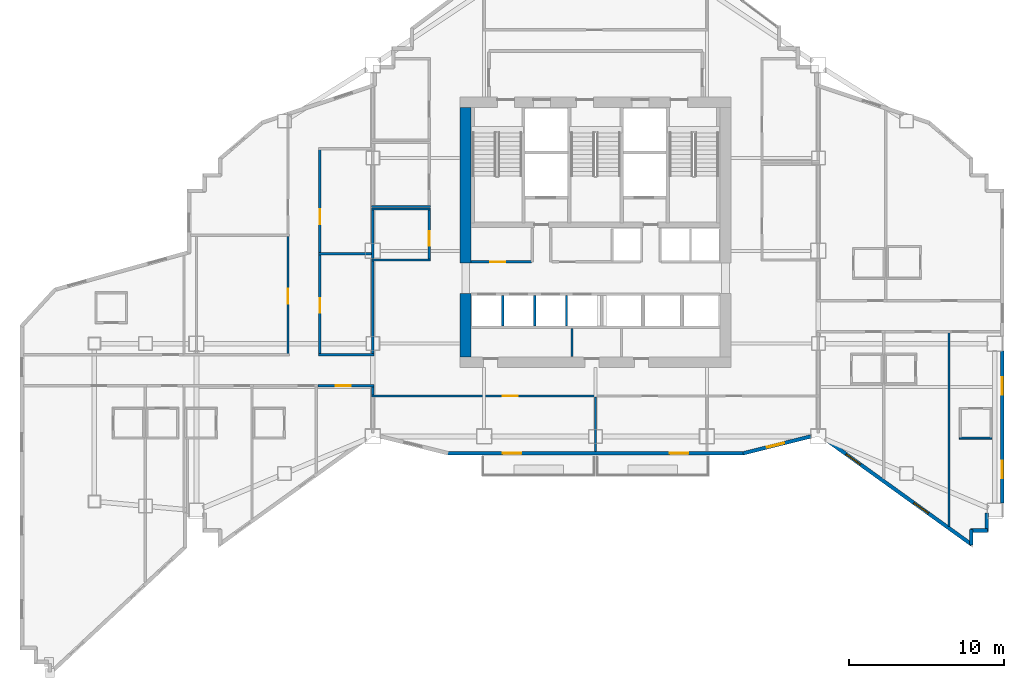
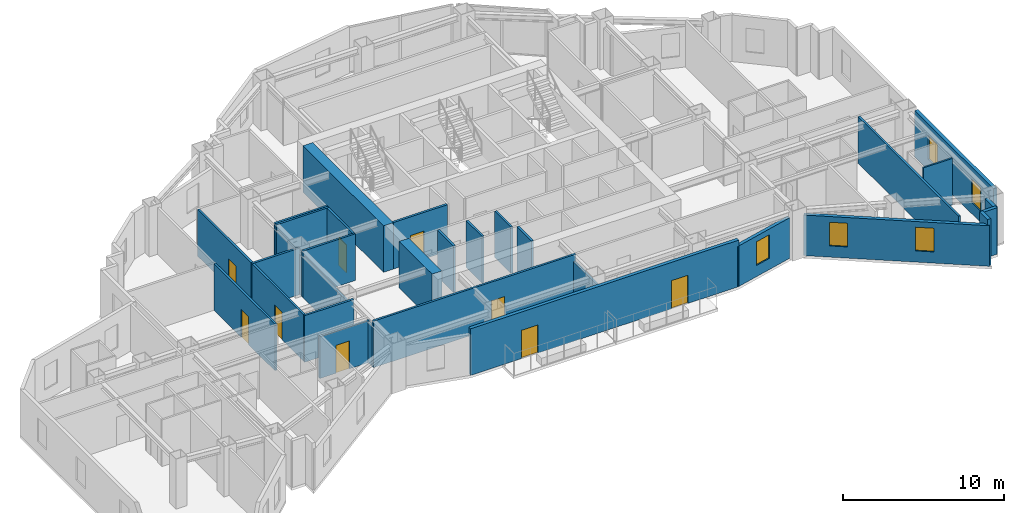
# One storey, part 8 of 14: 31 walls, 9 doors, 5 windows, 14 openings.
"""IFC4 building model written with IfcOpenShell, lengths in metres."""

import ifcopenshell
import ifcopenshell.guid

model = None  # the IFC model being written
_history = None  # IfcOwnerHistory: only IFC2X3 demands one
_inside = {}  # id of a spatial element -> (the spatial element, [elements in it])
_under = {}  # id of a project, library or spatial element -> (it, [spatial elements below it])
_declared = {}  # id of a project -> (the project, [libraries it declares])
_typed = {}  # id of a type object -> (the type object, [elements of that type])
_made_of = {}  # id of a material, layer set ... -> (it, [elements and type objects made of it])


def new_model(schema):
    """Start an empty IFC model of exactly this schema.

    Asked for "IFC4X3", IfcOpenShell would pick the latest addendum, in which some entities
    have other attributes; the version numbers below select the first issue.
    IFC2X3 requires an IfcOwnerHistory on every rooted entity: one is made here for all.
    """
    global model, _history
    if schema == "IFC4X3":
        model = ifcopenshell.file(schema_version=(4, 3, 0, 0))
    else:
        model = ifcopenshell.file(schema=schema)
    _inside.clear()
    _under.clear()
    _declared.clear()
    _typed.clear()
    _made_of.clear()
    _history = None
    if model.schema == "IFC2X3":
        org = make("IfcOrganization", Name="unknown")
        user = make(
            "IfcPersonAndOrganization",
            ThePerson=make("IfcPerson", FamilyName="unknown"),
            TheOrganization=org,
        )
        app = make(
            "IfcApplication",
            ApplicationDeveloper=org,
            Version="unknown",
            ApplicationFullName="unknown",
            ApplicationIdentifier="unknown",
        )
        _history = make(
            "IfcOwnerHistory",
            OwningUser=user,
            OwningApplication=app,
            ChangeAction="ADDED",
            CreationDate=0,
        )
    return model


def make(cls, **values):
    """One entity of the class cls with the attributes given. An attribute that is None is left unset."""
    return model.create_entity(
        cls, **{name: value for name, value in values.items() if value is not None}
    )


def rooted(cls, **values):
    """An entity with a GlobalId (a new one), such as an element, a storey or a relation."""
    return make(cls, GlobalId=ifcopenshell.guid.new(), OwnerHistory=_history, **values)


def si_unit(unit_type, name, prefix=None):
    """IfcSIUnit, for example si_unit("LENGTHUNIT", "METRE", prefix="MILLI")."""
    return make("IfcSIUnit", UnitType=unit_type, Prefix=prefix, Name=name)


def assignment(units):
    """IfcUnitAssignment: the units of a project."""
    return None if units is None else make("IfcUnitAssignment", Units=units)


def point(xyz):
    """IfcCartesianPoint."""
    return None if xyz is None else make("IfcCartesianPoint", Coordinates=xyz)


def direction(xyz):
    """IfcDirection."""
    return None if xyz is None else make("IfcDirection", DirectionRatios=xyz)


def frame(location, z_axis=None, x_axis=None):
    """IfcAxis2Placement3D, a coordinate frame: its origin and axes. An axis left out is left unset."""
    return make(
        "IfcAxis2Placement3D",
        Location=point(location),
        Axis=direction(z_axis),
        RefDirection=direction(x_axis),
    )


def frame_2d(location, x_axis=None):
    """IfcAxis2Placement2D, a coordinate frame in the plane: its origin and x axis."""
    return make(
        "IfcAxis2Placement2D", Location=point(location), RefDirection=direction(x_axis)
    )


def origin():
    """The frame at (0, 0, 0) with its axes left unset."""
    return frame((0.0, 0.0, 0.0))


def place(relative_to, where):
    """IfcLocalPlacement: puts the frame where relative to a parent placement (None: the world)."""
    return make(
        "IfcLocalPlacement", PlacementRelTo=relative_to, RelativePlacement=where
    )


def context(
    kind, dimensions, precision=None, world=None, true_north=None, identifier=None
):
    """IfcGeometricRepresentationContext, for example the 3D "Model" context."""
    return make(
        "IfcGeometricRepresentationContext",
        ContextIdentifier=identifier,
        ContextType=kind,
        CoordinateSpaceDimension=dimensions,
        Precision=precision,
        WorldCoordinateSystem=world,
        TrueNorth=true_north,
    )


def subcontext(parent, identifier, kind, view, scale=None):
    """IfcGeometricRepresentationSubContext, for example "Body" below "Model"."""
    return make(
        "IfcGeometricRepresentationSubContext",
        ContextIdentifier=identifier,
        ContextType=kind,
        ParentContext=parent,
        TargetScale=scale,
        TargetView=view,
    )


def project(units=None, contexts=None):
    """IfcProject with its units and contexts."""
    return rooted(
        "IfcProject",
        Name="project",
        RepresentationContexts=contexts,
        UnitsInContext=assignment(units),
    )


def spatial(cls, under=None, at=None, **own):
    """A site, building, storey or space (cls), placed at a placement, below another one or the project."""
    s = rooted(cls, ObjectPlacement=at, **own)
    if under is not None:
        _under.setdefault(under.id(), (under, []))[1].append(s)
    return s


def profile(cls, at=None, kind="AREA", **sizes):
    """A parametric profile (cls). Its sizes go by their IFC names, for example OverallWidth=200.0."""
    return make(cls, ProfileType=kind, Position=at, **sizes)


def rectangle(**sizes):
    """IfcRectangleProfileDef."""
    return profile("IfcRectangleProfileDef", **sizes)


def extrude(swept, where, along, depth):
    """IfcExtrudedAreaSolid: the profile swept, set in the frame where, extruded along a direction by depth."""
    return make(
        "IfcExtrudedAreaSolid",
        SweptArea=swept,
        Position=where,
        ExtrudedDirection=direction(along),
        Depth=depth,
    )


def shape(context_of_items, identifier, shape_type, items):
    """IfcShapeRepresentation: the items that make up one representation, for example the "Body"."""
    return make(
        "IfcShapeRepresentation",
        ContextOfItems=context_of_items,
        RepresentationIdentifier=identifier,
        RepresentationType=shape_type,
        Items=items,
    )


def material(Name=None, Category=None):
    """IfcMaterial."""
    return make("IfcMaterial", Name=Name, Category=Category)


def layer(
    of_material, thickness, ventilated=None, Name=None, Category=None, Priority=None
):
    """IfcMaterialLayer: one layer of a wall or slab, of a material (None: an air gap)."""
    return make(
        "IfcMaterialLayer",
        Material=of_material,
        LayerThickness=thickness,
        IsVentilated=ventilated,
        Name=Name,
        Category=Category,
        Priority=Priority,
    )


def layer_set(layers, Name=None):
    """IfcMaterialLayerSet."""
    return make("IfcMaterialLayerSet", MaterialLayers=layers, LayerSetName=Name)


def made_of(thing, what):
    """Note that an element or type object is made of a material, layer set ...; save() writes the relation."""
    if what is not None:
        _made_of.setdefault(what.id(), (what, []))[1].append(thing)
    return thing


def type_object(cls, material=None, **own):
    """A type object (cls), such as IfcWallType, which elements share."""
    return made_of(rooted(cls, **own), material)


def element(
    cls,
    number,
    at=None,
    inside=None,
    cuts=None,
    type_object=None,
    material=None,
    context=None,
    identifier="Body",
    shape_type=None,
    held_by="IfcProductDefinitionShape",
    body=None,
    shapes=None,
    **own,
):
    """One element of the class cls, such as IfcWall. Its Tag is "e" and its number.

    at: its placement. inside: the storey or other place that contains it. cuts: it is an
    opening in that element (IfcRelVoidsElement). A single representation is given by context,
    identifier, shape_type and body (its items); several are given by shapes. held_by: the class
    of the entity that holds the representations. save() writes the other relations.
    """
    e = rooted(cls, Tag="e%d" % number, ObjectPlacement=at, **own)
    if body is not None:
        shapes = [shape(context, identifier, shape_type, body)]
    if shapes is not None:
        e.Representation = make(held_by, Representations=shapes)
    if inside is not None:
        _inside.setdefault(inside.id(), (inside, []))[1].append(e)
    if cuts is not None:
        rooted(
            "IfcRelVoidsElement", RelatingBuildingElement=cuts, RelatedOpeningElement=e
        )
    if type_object is not None:
        _typed.setdefault(type_object.id(), (type_object, []))[1].append(e)
    return made_of(e, material)


def fill(opening, filler):
    """IfcRelFillsElement: the door or window that sits in an opening."""
    return rooted(
        "IfcRelFillsElement",
        RelatingOpeningElement=opening,
        RelatedBuildingElement=filler,
    )


def aggregate(whole, parts):
    """IfcRelAggregates: a whole, such as a stair, and the parts it consists of."""
    return rooted("IfcRelAggregates", RelatingObject=whole, RelatedObjects=parts)


def save(model, path):
    """Write the relations noted so far, then the file.

    IfcRelAggregates (storeys below a building ...), IfcRelContainedInSpatialStructure (elements
    in a storey), IfcRelDefinesByType, IfcRelAssociatesMaterial and IfcRelDeclares: one each for
    every whole, place, type object, material and project.
    """
    for whole, parts in _under.values():
        aggregate(whole, parts)
    for where, things in _inside.values():
        rooted(
            "IfcRelContainedInSpatialStructure",
            RelatedElements=things,
            RelatingStructure=where,
        )
    for kind, things in _typed.values():
        rooted("IfcRelDefinesByType", RelatedObjects=things, RelatingType=kind)
    for what, things in _made_of.values():
        rooted("IfcRelAssociatesMaterial", RelatedObjects=things, RelatingMaterial=what)
    for by, libraries in _declared.values():
        rooted("IfcRelDeclares", RelatingContext=by, RelatedDefinitions=libraries)
    model.write(path)


model = new_model("IFC4")

# Units and contexts
model_context = context("Model", 3, precision=1e-05, world=origin(), true_north=direction((0.0, 1.0)))
body_context = subcontext(model_context, "Body", "Model", "MODEL_VIEW")
ifc_project = project(units=[si_unit("LENGTHUNIT", "METRE"), si_unit("AREAUNIT", "SQUARE_METRE"), si_unit("VOLUMEUNIT", "CUBIC_METRE"), si_unit("PLANEANGLEUNIT", "RADIAN"), si_unit("MASSUNIT", "GRAM", prefix="KILO")], contexts=[model_context])

# Site, building, storey
site_placement = place(None, origin())
site = spatial("IfcSite", under=ifc_project, at=site_placement, CompositionType="ELEMENT")
building_placement = place(site_placement, origin())
building = spatial("IfcBuilding", under=site, at=building_placement, Name="Haolan Belvedere Tower", CompositionType="ELEMENT")
storey_placement = place(building_placement, frame((0.0, 0.0, 132.60009765625)))
storey = spatial("IfcBuildingStorey", under=building, at=storey_placement, Name="L33", CompositionType="ELEMENT", Elevation=132.60009765625)

# Walls
ifc_material_1 = material(Name="Concrete C60/75", Category="concrete")
ifc_layer_1 = layer(ifc_material_1, 0.699951171875, Name="Concrete C60/75")
ifc_layer_set_1 = layer_set([ifc_layer_1], Name="Concrete C60/75")
wall_type_1 = type_object("IfcWallType", Name="WL-CORE-700", PredefinedType="SHEAR", material=ifc_layer_set_1)
wall_1_placement = place(storey_placement, frame((30.0, 26.75, 0.0), z_axis=(0.0, 0.0, 1.0), x_axis=(0.0, 1.0, 0.0)))
element("IfcWall", 1, at=wall_1_placement, inside=storey, type_object=wall_type_1, Name="L33 central core shear wall WS", PredefinedType="SHEAR", context=body_context, shape_type="SweptSolid", body=[
    extrude(rectangle(XDim=4.10009765625, YDim=0.699951171875, at=frame_2d((2.050048828125, 0.0))), origin(), (0.0, 0.0, 1.0), 3.539794921875),
])
wall_2_placement = place(storey_placement, frame((30.0, 32.800048828125, 0.0), z_axis=(0.0, 0.0, 1.0), x_axis=(0.0, 1.0, 0.0)))
element("IfcWall", 2, at=wall_2_placement, inside=storey, type_object=wall_type_1, Name="L33 central core shear wall WN", PredefinedType="SHEAR", context=body_context, shape_type="SweptSolid", body=[
    extrude(rectangle(XDim=10.050048828125, YDim=0.699951171875, at=frame_2d((5.02490234375, 0.0))), origin(), (0.0, 0.0, 1.0), 3.539794921875),
])

# Wall, openings, doors
ifc_material_2 = material(Name="Precast concrete C40/50", Category="concrete")
ifc_layer_2 = layer(ifc_material_2, 0.239990234375, Name="Precast concrete C40/50")
ifc_layer_set_2 = layer_set([ifc_layer_2], Name="Precast concrete C40/50")
wall_type_2 = type_object("IfcWallType", Name="WL-EXT-240", PredefinedType="SOLIDWALL", material=ifc_layer_set_2)
wall_3_placement = place(storey_placement, frame((28.759765625, 20.52001953125, 0.0), z_axis=(0.0, 0.0, 1.0), x_axis=(1.0, 0.0, 0.0)))
wall_3 = element("IfcWall", 3, at=wall_3_placement, inside=storey, type_object=wall_type_2, Name="L33 pale-metal exterior spandrel wall 7.1", PredefinedType="SOLIDWALL", context=body_context, shape_type="SweptSolid", body=[
    extrude(rectangle(XDim=19.280517578125, YDim=0.239990234375, at=frame_2d((9.64013671875, 0.0))), origin(), (0.0, 0.0, 1.0), 3.539794921875),
])
opening_1_placement = place(wall_3_placement, frame((4.840087890625, 0.0, 0.0), z_axis=(0.0, 0.0, 1.0), x_axis=(-1.0, 0.0, 0.0)))
opening_1 = element("IfcOpeningElement", 4, at=opening_1_placement, cuts=wall_3, Name="Opening BD-01", PredefinedType="OPENING", context=body_context, shape_type="SweptSolid", body=[
    extrude(rectangle(XDim=1.199951171875, YDim=2.14990234375, at=frame_2d((0.60009765625, 1.074951171875))), frame((0.0, 0.1298828125, 0.0), z_axis=(0.0, -1.0, 0.0), x_axis=(1.0, 0.0, 0.0)), (0.0, 0.0, 1.0), 0.260009765625),
])
opening_2_placement = place(wall_3_placement, frame((15.64013671875, 0.0, 0.0), z_axis=(0.0, 0.0, 1.0), x_axis=(-1.0, 0.0, 0.0)))
opening_2 = element("IfcOpeningElement", 5, at=opening_2_placement, cuts=wall_3, Name="Opening BD-01", PredefinedType="OPENING", context=body_context, shape_type="SweptSolid", body=[
    extrude(rectangle(XDim=1.199951171875, YDim=2.14990234375, at=frame_2d((0.60009765625, 1.074951171875))), frame((0.0, 0.1298828125, 0.0), z_axis=(0.0, -1.0, 0.0), x_axis=(1.0, 0.0, 0.0)), (0.0, 0.0, 1.0), 0.260009765625),
])
ifc_material_3 = material(Name="Thermally broken pale-metal aluminium and Low-E glass", Category="aluminium")
door_type_1 = type_object("IfcDoorType", Name="DR-BAL-1200", OperationType="NOTDEFINED", PredefinedType="DOOR", material=ifc_material_3)
door_1_placement = place(opening_1_placement, origin())
door_1 = element("IfcDoor", 6, at=door_1_placement, inside=storey, type_object=door_type_1, Name="L33 tree-balcony access door 1", OperationType="SINGLE_SWING_LEFT", OverallHeight=2.14990234375, OverallWidth=1.199951171875, PredefinedType="DOOR", context=body_context, shape_type="SweptSolid", body=[
    extrude(rectangle(XDim=1.199951171875, YDim=2.14990234375, at=frame_2d((0.60009765625, 1.074951171875))), frame((0.0, 0.02490234375, 0.0), z_axis=(0.0, -1.0, 0.0), x_axis=(1.0, 0.0, 0.0)), (0.0, 0.0, 1.0), 0.050048828125),
])
fill(opening_1, door_1)
door_2_placement = place(opening_2_placement, origin())
door_2 = element("IfcDoor", 7, at=door_2_placement, inside=storey, type_object=door_type_1, Name="L33 tree-balcony access door 2", OperationType="SINGLE_SWING_RIGHT", OverallHeight=2.14990234375, OverallWidth=1.199951171875, PredefinedType="DOOR", context=body_context, shape_type="SweptSolid", body=[
    extrude(rectangle(XDim=1.199951171875, YDim=2.14990234375, at=frame_2d((0.60009765625, 1.074951171875))), frame((0.0, 0.02490234375, 0.0), z_axis=(0.0, -1.0, 0.0), x_axis=(1.0, 0.0, 0.0)), (0.0, 0.0, 1.0), 0.050048828125),
])
fill(opening_2, door_2)

# Wall, opening, window
wall_4_placement = place(storey_placement, frame((47.931884765625, 20.506591796875, 0.0), z_axis=(0.0, 0.0, 1.0), x_axis=(0.970145683738, 0.242522890311, 0.0)))
wall_4 = element("IfcWall", 8, at=wall_4_placement, inside=storey, type_object=wall_type_2, Name="L33 pale-metal exterior spandrel wall 8.1", PredefinedType="SOLIDWALL", context=body_context, shape_type="SweptSolid", body=[
    extrude(rectangle(XDim=4.510986328125, YDim=0.239990234375, at=frame_2d((2.25537109375, 0.0))), origin(), (0.0, 0.0, 1.0), 3.0849609375),
])
opening_3_placement = place(wall_4_placement, frame((1.60009765625, 0.0, 0.85009765625)))
opening_3 = element("IfcOpeningElement", 9, at=opening_3_placement, cuts=wall_4, Name="Opening W-02", PredefinedType="OPENING", context=body_context, shape_type="SweptSolid", body=[
    extrude(rectangle(XDim=1.14990234375, YDim=1.800048828125, at=frame_2d((0.574951171875, 0.89990234375))), frame((0.0, 0.1298828125, 0.0), z_axis=(0.0, -1.0, 0.0), x_axis=(1.0, 0.0, 0.0)), (0.0, 0.0, 1.0), 0.260009765625),
])
ifc_material_4 = material(Name="Anodised aluminium 6063-T6 and Low-E glass", Category="aluminium")
window_type = type_object("IfcWindowType", Name="WN-DECO-Z2", PartitioningType="SINGLE_PANEL", PredefinedType="WINDOW", material=ifc_material_4)
window_1_placement = place(opening_3_placement, origin())
window_1 = element("IfcWindow", 10, at=window_1_placement, inside=storey, type_object=window_type, Name="L33 Art Deco chevron window 1", OverallHeight=1.800048828125, OverallWidth=1.14990234375, PartitioningType="SINGLE_PANEL", PredefinedType="WINDOW", context=body_context, shape_type="SweptSolid", body=[
    extrude(rectangle(XDim=1.14990234375, YDim=1.800048828125, at=frame_2d((0.574951171875, 0.89990234375))), frame((0.0, 0.030029296875, 0.0), z_axis=(0.0, -1.0, 0.0), x_axis=(1.0, 0.0, 0.0)), (0.0, 0.0, 1.0), 0.06005859375),
])
fill(opening_3, window_1)

# Wall, openings, windows
wall_5_placement = place(storey_placement, frame((53.2919921875, 21.3935546875, 0.0), z_axis=(0.0, 0.0, 1.0), x_axis=(0.811543504691, -0.584291998913, 0.0)))
wall_5 = element("IfcWall", 11, at=wall_5_placement, inside=storey, type_object=wall_type_2, Name="L33 pale-metal exterior spandrel wall 9.1", PredefinedType="SOLIDWALL", context=body_context, shape_type="SweptSolid", body=[
    extrude(rectangle(XDim=11.623046875, YDim=0.239990234375, at=frame_2d((5.8115234375, 0.0))), origin(), (0.0, 0.0, 1.0), 3.0849609375),
])
opening_4_placement = place(wall_5_placement, frame((1.60009765625, 0.0, 0.85009765625)))
opening_4 = element("IfcOpeningElement", 12, at=opening_4_placement, cuts=wall_5, Name="Opening W-02", PredefinedType="OPENING", context=body_context, shape_type="SweptSolid", body=[
    extrude(rectangle(XDim=1.14990234375, YDim=1.800048828125, at=frame_2d((0.574951171875, 0.89990234375))), frame((0.0, 0.1298828125, 0.0), z_axis=(0.0, -1.0, 0.0), x_axis=(1.0, 0.0, 0.0)), (0.0, 0.0, 1.0), 0.260009765625),
])
opening_5_placement = place(wall_5_placement, frame((7.0, 0.0, 0.85009765625)))
opening_5 = element("IfcOpeningElement", 13, at=opening_5_placement, cuts=wall_5, Name="Opening W-02", PredefinedType="OPENING", context=body_context, shape_type="SweptSolid", body=[
    extrude(rectangle(XDim=1.14990234375, YDim=1.800048828125, at=frame_2d((0.574951171875, 0.89990234375))), frame((0.0, 0.1298828125, 0.0), z_axis=(0.0, -1.0, 0.0), x_axis=(1.0, 0.0, 0.0)), (0.0, 0.0, 1.0), 0.260009765625),
])
window_2_placement = place(opening_4_placement, origin())
window_2 = element("IfcWindow", 14, at=window_2_placement, inside=storey, type_object=window_type, Name="L33 Art Deco chevron window 1", OverallHeight=1.800048828125, OverallWidth=1.14990234375, PartitioningType="SINGLE_PANEL", PredefinedType="WINDOW", context=body_context, shape_type="SweptSolid", body=[
    extrude(rectangle(XDim=1.14990234375, YDim=1.800048828125, at=frame_2d((0.574951171875, 0.89990234375))), frame((0.0, 0.030029296875, 0.0), z_axis=(0.0, -1.0, 0.0), x_axis=(1.0, 0.0, 0.0)), (0.0, 0.0, 1.0), 0.06005859375),
])
fill(opening_4, window_2)
window_3_placement = place(opening_5_placement, origin())
window_3 = element("IfcWindow", 15, at=window_3_placement, inside=storey, type_object=window_type, Name="L33 Art Deco chevron window 2", OverallHeight=1.800048828125, OverallWidth=1.14990234375, PartitioningType="SINGLE_PANEL", PredefinedType="WINDOW", context=body_context, shape_type="SweptSolid", body=[
    extrude(rectangle(XDim=1.14990234375, YDim=1.800048828125, at=frame_2d((0.574951171875, 0.89990234375))), frame((0.0, 0.030029296875, 0.0), z_axis=(0.0, -1.0, 0.0), x_axis=(1.0, 0.0, 0.0)), (0.0, 0.0, 1.0), 0.06005859375),
])
fill(opening_5, window_3)

# Walls
wall_6_placement = place(storey_placement, frame((62.679931640625, 14.579345703125, 0.0), z_axis=(0.0, 0.0, 1.0), x_axis=(0.0, 1.0, 0.0)))
element("IfcWall", 16, at=wall_6_placement, inside=storey, type_object=wall_type_2, Name="L33 pale-metal exterior spandrel wall 10.1", PredefinedType="SOLIDWALL", context=body_context, shape_type="SweptSolid", body=[
    extrude(rectangle(XDim=0.99560546875, YDim=0.239990234375, at=frame_2d((0.497802734375, 0.0))), origin(), (0.0, 0.0, 1.0), 3.539794921875),
])
wall_7_placement = place(storey_placement, frame((62.625, 15.52001953125, 0.0), z_axis=(0.0, 0.0, 1.0), x_axis=(1.0, 0.0, 0.0)))
element("IfcWall", 17, at=wall_7_placement, inside=storey, type_object=wall_type_2, Name="L33 pale-metal exterior spandrel wall 11.1", PredefinedType="SOLIDWALL", context=body_context, shape_type="SweptSolid", body=[
    extrude(rectangle(XDim=1.110107421875, YDim=0.239990234375, at=frame_2d((0.55517578125, 0.0))), origin(), (0.0, 0.0, 1.0), 3.539794921875),
])
wall_8_placement = place(storey_placement, frame((63.679931640625, 15.465087890625, 0.0), z_axis=(0.0, 0.0, 1.0), x_axis=(0.0, 1.0, 0.0)))
element("IfcWall", 18, at=wall_8_placement, inside=storey, type_object=wall_type_2, Name="L33 pale-metal exterior spandrel wall 12.1", PredefinedType="SOLIDWALL", context=body_context, shape_type="SweptSolid", body=[
    extrude(rectangle(XDim=1.1748046875, YDim=0.239990234375, at=frame_2d((0.58740234375, 0.0))), origin(), (0.0, 0.0, 1.0), 3.539794921875),
])

# Wall, openings, windows
wall_9_placement = place(storey_placement, frame((64.679931640625, 17.2919921875, 0.0), z_axis=(0.0, 0.0, 1.0), x_axis=(0.0, 1.0, 0.0)))
wall_9 = element("IfcWall", 19, at=wall_9_placement, inside=storey, type_object=wall_type_2, Name="L33 pale-metal exterior spandrel wall 14.1", PredefinedType="SOLIDWALL", context=body_context, shape_type="SweptSolid", body=[
    extrude(rectangle(XDim=9.81591796875, YDim=0.239990234375, at=frame_2d((4.907958984375, 0.0))), origin(), (0.0, 0.0, 1.0), 3.539794921875),
])
opening_6_placement = place(wall_9_placement, frame((1.60009765625, 0.0, 0.85009765625)))
opening_6 = element("IfcOpeningElement", 20, at=opening_6_placement, cuts=wall_9, Name="Opening W-02", PredefinedType="OPENING", context=body_context, shape_type="SweptSolid", body=[
    extrude(rectangle(XDim=1.14990234375, YDim=1.800048828125, at=frame_2d((0.574951171875, 0.89990234375))), frame((0.0, 0.1298828125, 0.0), z_axis=(0.0, -1.0, 0.0), x_axis=(1.0, 0.0, 0.0)), (0.0, 0.0, 1.0), 0.260009765625),
])
opening_7_placement = place(wall_9_placement, frame((7.0, 0.0, 0.85009765625)))
opening_7 = element("IfcOpeningElement", 21, at=opening_7_placement, cuts=wall_9, Name="Opening W-02", PredefinedType="OPENING", context=body_context, shape_type="SweptSolid", body=[
    extrude(rectangle(XDim=1.14990234375, YDim=1.800048828125, at=frame_2d((0.574951171875, 0.89990234375))), frame((0.0, 0.1298828125, 0.0), z_axis=(0.0, -1.0, 0.0), x_axis=(1.0, 0.0, 0.0)), (0.0, 0.0, 1.0), 0.260009765625),
])
window_4_placement = place(opening_6_placement, origin())
window_4 = element("IfcWindow", 22, at=window_4_placement, inside=storey, type_object=window_type, Name="L33 Art Deco chevron window 1", OverallHeight=1.800048828125, OverallWidth=1.14990234375, PartitioningType="SINGLE_PANEL", PredefinedType="WINDOW", context=body_context, shape_type="SweptSolid", body=[
    extrude(rectangle(XDim=1.14990234375, YDim=1.800048828125, at=frame_2d((0.574951171875, 0.89990234375))), frame((0.0, 0.030029296875, 0.0), z_axis=(0.0, -1.0, 0.0), x_axis=(1.0, 0.0, 0.0)), (0.0, 0.0, 1.0), 0.06005859375),
])
fill(opening_6, window_4)
window_5_placement = place(opening_7_placement, origin())
window_5 = element("IfcWindow", 23, at=window_5_placement, inside=storey, type_object=window_type, Name="L33 Art Deco chevron window 2", OverallHeight=1.800048828125, OverallWidth=1.14990234375, PartitioningType="SINGLE_PANEL", PredefinedType="WINDOW", context=body_context, shape_type="SweptSolid", body=[
    extrude(rectangle(XDim=1.14990234375, YDim=1.800048828125, at=frame_2d((0.574951171875, 0.89990234375))), frame((0.0, 0.030029296875, 0.0), z_axis=(0.0, -1.0, 0.0), x_axis=(1.0, 0.0, 0.0)), (0.0, 0.0, 1.0), 0.06005859375),
])
fill(opening_7, window_5)

# Walls
ifc_material_5 = material(Name="Double gypsum acoustic stud partition", Category="masonry")
ifc_layer_3 = layer(ifc_material_5, 0.14990234375, Name="Double gypsum acoustic stud partition")
ifc_layer_set_3 = layer_set([ifc_layer_3], Name="Double gypsum acoustic stud partition")
wall_type_3 = type_object("IfcWallType", Name="WL-PART-150", PredefinedType="PARTITIONING", material=ifc_layer_set_3)
wall_10_placement = place(storey_placement, frame((36.8798828125, 26.760009765625, 0.0), z_axis=(0.0, 0.0, 1.0), x_axis=(0.0, 1.0, 0.0)))
element("IfcWall", 24, at=wall_10_placement, inside=storey, type_object=wall_type_3, Name="L33 interior partition IW-L33-SCV-DIV-1", PredefinedType="PARTITIONING", context=body_context, shape_type="SweptSolid", body=[
    extrude(rectangle(XDim=1.820068359375, YDim=0.14990234375, at=frame_2d((0.91015625, 0.0))), origin(), (0.0, 0.0, 1.0), 3.539794921875),
])
for number, where, z_axis, x_axis, name in (
    (25, (23.919921875, 36.300048828125, 0.0), (0.0, 0.0, 1.0), (1.0, 0.0, 0.0), "L33 interior partition IW-L33-AWC-N"),
    (26, (23.919921875, 33.0, 0.0), (0.0, 0.0, 1.0), (1.0, 0.0, 0.0), "L33 interior partition IW-L33-AWC-S"),
):
    element("IfcWall", number, at=place(storey_placement, frame(where, z_axis=z_axis, x_axis=x_axis)), inside=storey, type_object=wall_type_3, Name=name, PredefinedType="PARTITIONING", context=body_context, shape_type="SweptSolid", body=[
        extrude(rectangle(XDim=3.800048828125, YDim=0.14990234375, at=frame_2d((1.89990234375, 0.0))), origin(), (0.0, 0.0, 1.0), 3.539794921875),
    ])
wall_11_placement = place(storey_placement, frame((24.0, 33.06005859375, 0.0), z_axis=(0.0, 0.0, 1.0), x_axis=(0.0, 1.0, 0.0)))
element("IfcWall", 27, at=wall_11_placement, inside=storey, type_object=wall_type_3, Name="L33 interior partition IW-L33-AWC-W", PredefinedType="PARTITIONING", context=body_context, shape_type="SweptSolid", body=[
    extrude(rectangle(XDim=3.179931640625, YDim=0.14990234375, at=frame_2d((1.58984375, 0.0))), origin(), (0.0, 0.0, 1.0), 3.0849609375),
])

# Wall, opening, door
wall_12_placement = place(storey_placement, frame((27.639892578125, 33.06005859375, 0.0), z_axis=(0.0, 0.0, 1.0), x_axis=(0.0, 1.0, 0.0)))
wall_12 = element("IfcWall", 28, at=wall_12_placement, inside=storey, type_object=wall_type_3, Name="L33 interior partition IW-L33-AWC-E", PredefinedType="PARTITIONING", context=body_context, shape_type="SweptSolid", body=[
    extrude(rectangle(XDim=3.179931640625, YDim=0.14990234375, at=frame_2d((1.58984375, 0.0))), origin(), (0.0, 0.0, 1.0), 3.539794921875),
])
opening_8_placement = place(wall_12_placement, frame((1.81005859375, 0.0, 0.0), z_axis=(0.0, 0.0, 1.0), x_axis=(-1.0, 0.0, 0.0)))
opening_8 = element("IfcOpeningElement", 29, at=opening_8_placement, cuts=wall_12, Name="Opening ID-03", PredefinedType="OPENING", context=body_context, shape_type="SweptSolid", body=[
    extrude(rectangle(XDim=0.949951171875, YDim=2.1201171875, at=frame_2d((0.47509765625, 1.06005859375))), frame((0.0, 0.0849609375, 0.0), z_axis=(0.0, -1.0, 0.0), x_axis=(1.0, 0.0, 0.0)), (0.0, 0.0, 1.0), 0.169921875),
])
ifc_material_6 = material(Name="Painted solid-core timber", Category="wood")
door_type_2 = type_object("IfcDoorType", Name="DR-INT-950", OperationType="NOTDEFINED", PredefinedType="DOOR", material=ifc_material_6)
door_3_placement = place(opening_8_placement, origin())
door_3 = element("IfcDoor", 30, at=door_3_placement, inside=storey, type_object=door_type_2, Name="L33 door ID-L33-AWC", OperationType="SINGLE_SWING_LEFT", OverallHeight=2.1201171875, OverallWidth=0.949951171875, PredefinedType="DOOR", context=body_context, shape_type="SweptSolid", body=[
    extrude(rectangle(XDim=0.949951171875, YDim=2.1201171875, at=frame_2d((0.47509765625, 1.06005859375))), frame((0.0, 0.02490234375, 0.0), z_axis=(0.0, -1.0, 0.0), x_axis=(1.0, 0.0, 0.0)), (0.0, 0.0, 1.0), 0.050048828125),
])
fill(opening_8, door_3)

# Wall
wall_13_placement = place(storey_placement, frame((23.919921875, 36.4599609375, 0.0), z_axis=(0.0, 0.0, 1.0), x_axis=(1.0, 0.0, 0.0)))
element("IfcWall", 31, at=wall_13_placement, inside=storey, type_object=wall_type_3, Name="L33 interior partition IW-L33-PNT-S", PredefinedType="PARTITIONING", context=body_context, shape_type="SweptSolid", body=[
    extrude(rectangle(XDim=3.800048828125, YDim=0.14990234375, at=frame_2d((1.89990234375, 0.0))), origin(), (0.0, 0.0, 1.0), 3.539794921875),
])

# Wall, opening, door
wall_14_placement = place(storey_placement, frame((23.919921875, 24.219970703125, 0.0), z_axis=(0.0, 0.0, 1.0), x_axis=(1.0, 0.0, 0.0)))
wall_14 = element("IfcWall", 32, at=wall_14_placement, inside=storey, type_object=wall_type_3, Name="L33 interior partition IW-L33-KS1-N", PredefinedType="PARTITIONING", context=body_context, shape_type="SweptSolid", body=[
    extrude(rectangle(XDim=14.56005859375, YDim=0.14990234375, at=frame_2d((7.280029296875, 0.0))), origin(), (0.0, 0.0, 1.0), 3.539794921875),
])
opening_9_placement = place(wall_14_placement, frame((9.445068359375, 0.0, 0.0), z_axis=(0.0, 0.0, 1.0), x_axis=(-1.0, 0.0, 0.0)))
opening_9 = element("IfcOpeningElement", 33, at=opening_9_placement, cuts=wall_14, Name="Opening ID-03", PredefinedType="OPENING", context=body_context, shape_type="SweptSolid", body=[
    extrude(rectangle(XDim=0.949951171875, YDim=2.1201171875, at=frame_2d((0.47509765625, 1.06005859375))), frame((0.0, 0.0849609375, 0.0), z_axis=(0.0, -1.0, 0.0), x_axis=(1.0, 0.0, 0.0)), (0.0, 0.0, 1.0), 0.169921875),
])
door_4_placement = place(opening_9_placement, origin())
door_4 = element("IfcDoor", 34, at=door_4_placement, inside=storey, type_object=door_type_2, Name="L33 door ID-L33-KS1", OperationType="SINGLE_SWING_LEFT", OverallHeight=2.1201171875, OverallWidth=0.949951171875, PredefinedType="DOOR", context=body_context, shape_type="SweptSolid", body=[
    extrude(rectangle(XDim=0.949951171875, YDim=2.1201171875, at=frame_2d((0.47509765625, 1.06005859375))), frame((0.0, 0.02490234375, 0.0), z_axis=(0.0, -1.0, 0.0), x_axis=(1.0, 0.0, 0.0)), (0.0, 0.0, 1.0), 0.050048828125),
])
fill(opening_9, door_4)

# Wall
wall_15_placement = place(storey_placement, frame((38.39990234375, 20.625, 0.0), z_axis=(0.0, 0.0, 1.0), x_axis=(0.0, 1.0, 0.0)))
element("IfcWall", 35, at=wall_15_placement, inside=storey, type_object=wall_type_3, Name="L33 interior partition IW-L33-KS1-E", PredefinedType="PARTITIONING", context=body_context, shape_type="SweptSolid", body=[
    extrude(rectangle(XDim=3.534912109375, YDim=0.14990234375, at=frame_2d((1.767578125, 0.0))), origin(), (0.0, 0.0, 1.0), 3.02490234375),
])

# Wall, opening, door
wall_16_placement = place(storey_placement, frame((18.52001953125, 26.93994140625, 0.0), z_axis=(0.0, 0.0, 1.0), x_axis=(0.0, 1.0, 0.0)))
wall_16 = element("IfcWall", 36, at=wall_16_placement, inside=storey, type_object=wall_type_3, Name="L33 interior partition IW-L33-T2W1-E", PredefinedType="PARTITIONING", context=body_context, shape_type="SweptSolid", body=[
    extrude(rectangle(XDim=7.60009765625, YDim=0.14990234375, at=frame_2d((3.800048828125, 0.0))), origin(), (0.0, 0.0, 1.0), 3.539794921875),
])
opening_10_placement = place(wall_16_placement, frame((4.195068359375, 0.0, 0.0), z_axis=(0.0, 0.0, 1.0), x_axis=(-1.0, 0.0, 0.0)))
opening_10 = element("IfcOpeningElement", 37, at=opening_10_placement, cuts=wall_16, Name="Opening ID-03", PredefinedType="OPENING", context=body_context, shape_type="SweptSolid", body=[
    extrude(rectangle(XDim=0.949951171875, YDim=2.1201171875, at=frame_2d((0.47509765625, 1.06005859375))), frame((0.0, 0.0849609375, 0.0), z_axis=(0.0, -1.0, 0.0), x_axis=(1.0, 0.0, 0.0)), (0.0, 0.0, 1.0), 0.169921875),
])
door_5_placement = place(opening_10_placement, origin())
door_5 = element("IfcDoor", 38, at=door_5_placement, inside=storey, type_object=door_type_2, Name="L33 door ID-L33-T2W1", OperationType="SINGLE_SWING_LEFT", OverallHeight=2.1201171875, OverallWidth=0.949951171875, PredefinedType="DOOR", context=body_context, shape_type="SweptSolid", body=[
    extrude(rectangle(XDim=0.949951171875, YDim=2.1201171875, at=frame_2d((0.47509765625, 1.06005859375))), frame((0.0, 0.02490234375, 0.0), z_axis=(0.0, -1.0, 0.0), x_axis=(1.0, 0.0, 0.0)), (0.0, 0.0, 1.0), 0.050048828125),
])
fill(opening_10, door_5)

# Walls
wall_17_placement = place(storey_placement, frame((20.5, 33.39990234375, 0.0), z_axis=(0.0, 0.0, 1.0), x_axis=(1.0, 0.0, 0.0)))
element("IfcWall", 39, at=wall_17_placement, inside=storey, type_object=wall_type_3, Name="L33 interior partition IW-L33-T2E1-N", PredefinedType="PARTITIONING", context=body_context, shape_type="SweptSolid", body=[
    extrude(rectangle(XDim=3.43994140625, YDim=0.14990234375, at=frame_2d((1.719970703125, 0.0))), origin(), (0.0, 0.0, 1.0), 3.539794921875),
])
wall_18_placement = place(storey_placement, frame((20.5, 26.8798828125, 0.0), z_axis=(0.0, 0.0, 1.0), x_axis=(1.0, 0.0, 0.0)))
element("IfcWall", 40, at=wall_18_placement, inside=storey, type_object=wall_type_3, Name="L33 interior partition IW-L33-T2E1-S", PredefinedType="PARTITIONING", context=body_context, shape_type="SweptSolid", body=[
    extrude(rectangle(XDim=3.580078125, YDim=0.14990234375, at=frame_2d((1.7900390625, 0.0))), origin(), (0.0, 0.0, 1.0), 3.539794921875),
])

# Wall, opening, door
wall_19_placement = place(storey_placement, frame((20.580078125, 26.93994140625, 0.0), z_axis=(0.0, 0.0, 1.0), x_axis=(0.0, 1.0, 0.0)))
wall_19 = element("IfcWall", 41, at=wall_19_placement, inside=storey, type_object=wall_type_3, Name="L33 interior partition IW-L33-T2E1-W", PredefinedType="PARTITIONING", context=body_context, shape_type="SweptSolid", body=[
    extrude(rectangle(XDim=6.400146484375, YDim=0.14990234375, at=frame_2d((3.2001953125, 0.0))), origin(), (0.0, 0.0, 1.0), 3.539794921875),
])
opening_11_placement = place(wall_19_placement, frame((2.64501953125, 0.0, 0.0)))
opening_11 = element("IfcOpeningElement", 42, at=opening_11_placement, cuts=wall_19, Name="Opening ID-03", PredefinedType="OPENING", context=body_context, shape_type="SweptSolid", body=[
    extrude(rectangle(XDim=0.949951171875, YDim=2.1201171875, at=frame_2d((0.47509765625, 1.06005859375))), frame((0.0, 0.0849609375, 0.0), z_axis=(0.0, -1.0, 0.0), x_axis=(1.0, 0.0, 0.0)), (0.0, 0.0, 1.0), 0.169921875),
])
door_6_placement = place(opening_11_placement, origin())
door_6 = element("IfcDoor", 43, at=door_6_placement, inside=storey, type_object=door_type_2, Name="L33 door ID-L33-T2E1", OperationType="SINGLE_SWING_LEFT", OverallHeight=2.1201171875, OverallWidth=0.949951171875, PredefinedType="DOOR", context=body_context, shape_type="SweptSolid", body=[
    extrude(rectangle(XDim=0.949951171875, YDim=2.1201171875, at=frame_2d((0.47509765625, 1.06005859375))), frame((0.0, 0.02490234375, 0.0), z_axis=(0.0, -1.0, 0.0), x_axis=(1.0, 0.0, 0.0)), (0.0, 0.0, 1.0), 0.050048828125),
])
fill(opening_11, door_6)

# Wall
wall_20_placement = place(storey_placement, frame((24.0, 26.93994140625, 0.0), z_axis=(0.0, 0.0, 1.0), x_axis=(0.0, 1.0, 0.0)))
element("IfcWall", 44, at=wall_20_placement, inside=storey, type_object=wall_type_3, Name="L33 interior partition IW-L33-T2E1-E", PredefinedType="PARTITIONING", context=body_context, shape_type="SweptSolid", body=[
    extrude(rectangle(XDim=6.0, YDim=0.14990234375, at=frame_2d((3.0, 0.0))), origin(), (0.0, 0.0, 1.0), 3.0849609375),
])

# Wall, opening, door
wall_21_placement = place(storey_placement, frame((20.580078125, 33.4599609375, 0.0), z_axis=(0.0, 0.0, 1.0), x_axis=(0.0, 1.0, 0.0)))
wall_21 = element("IfcWall", 45, at=wall_21_placement, inside=storey, type_object=wall_type_3, Name="L33 interior partition IW-L33-T2E2-W", PredefinedType="PARTITIONING", context=body_context, shape_type="SweptSolid", body=[
    extrude(rectangle(XDim=6.679931640625, YDim=0.14990234375, at=frame_2d((3.33984375, 0.0))), origin(), (0.0, 0.0, 1.0), 3.539794921875),
])
opening_12_placement = place(wall_21_placement, frame((1.864990234375, 0.0, 0.0)))
opening_12 = element("IfcOpeningElement", 46, at=opening_12_placement, cuts=wall_21, Name="Opening ID-03", PredefinedType="OPENING", context=body_context, shape_type="SweptSolid", body=[
    extrude(rectangle(XDim=0.949951171875, YDim=2.1201171875, at=frame_2d((0.47509765625, 1.06005859375))), frame((0.0, 0.0849609375, 0.0), z_axis=(0.0, -1.0, 0.0), x_axis=(1.0, 0.0, 0.0)), (0.0, 0.0, 1.0), 0.169921875),
])
door_7_placement = place(opening_12_placement, origin())
door_7 = element("IfcDoor", 47, at=door_7_placement, inside=storey, type_object=door_type_2, Name="L33 door ID-L33-T2E2", OperationType="SINGLE_SWING_RIGHT", OverallHeight=2.1201171875, OverallWidth=0.949951171875, PredefinedType="DOOR", context=body_context, shape_type="SweptSolid", body=[
    extrude(rectangle(XDim=0.949951171875, YDim=2.1201171875, at=frame_2d((0.47509765625, 1.06005859375))), frame((0.0, 0.02490234375, 0.0), z_axis=(0.0, -1.0, 0.0), x_axis=(1.0, 0.0, 0.0)), (0.0, 0.0, 1.0), 0.050048828125),
])
fill(opening_12, door_7)

wall_22_placement = place(storey_placement, frame((20.44189453125, 24.8701171875, 0.0), z_axis=(0.0, 0.0, 1.0), x_axis=(1.0, 0.0, 0.0)))
wall_22 = element("IfcWall", 48, at=wall_22_placement, inside=storey, type_object=wall_type_3, Name="L33 interior partition IW-L33-T2S3-N", PredefinedType="PARTITIONING", context=body_context, shape_type="SweptSolid", body=[
    extrude(rectangle(XDim=3.63818359375, YDim=0.14990234375, at=frame_2d((1.819091796875, 0.0))), origin(), (0.0, 0.0, 1.0), 3.1748046875),
])
opening_13_placement = place(wall_22_placement, frame((2.123046875, 0.0, 0.0), z_axis=(0.0, 0.0, 1.0), x_axis=(-1.0, 0.0, 0.0)))
opening_13 = element("IfcOpeningElement", 49, at=opening_13_placement, cuts=wall_22, Name="Opening ID-03", PredefinedType="OPENING", context=body_context, shape_type="SweptSolid", body=[
    extrude(rectangle(XDim=0.949951171875, YDim=2.1201171875, at=frame_2d((0.47509765625, 1.06005859375))), frame((0.0, 0.0849609375, 0.0), z_axis=(0.0, -1.0, 0.0), x_axis=(1.0, 0.0, 0.0)), (0.0, 0.0, 1.0), 0.169921875),
])
door_8_placement = place(opening_13_placement, origin())
door_8 = element("IfcDoor", 50, at=door_8_placement, inside=storey, type_object=door_type_2, Name="L33 door ID-L33-T2S3", OperationType="SINGLE_SWING_LEFT", OverallHeight=2.1201171875, OverallWidth=0.949951171875, PredefinedType="DOOR", context=body_context, shape_type="SweptSolid", body=[
    extrude(rectangle(XDim=0.949951171875, YDim=2.1201171875, at=frame_2d((0.47509765625, 1.06005859375))), frame((0.0, 0.02490234375, 0.0), z_axis=(0.0, -1.0, 0.0), x_axis=(1.0, 0.0, 0.0)), (0.0, 0.0, 1.0), 0.050048828125),
])
fill(opening_13, door_8)

# Walls
wall_23_placement = place(storey_placement, frame((24.0, 24.280029296875, 0.0), z_axis=(0.0, 0.0, 1.0), x_axis=(0.0, 1.0, 0.0)))
element("IfcWall", 51, at=wall_23_placement, inside=storey, type_object=wall_type_3, Name="L33 interior partition IW-L33-T2S3-E", PredefinedType="PARTITIONING", context=body_context, shape_type="SweptSolid", body=[
    extrude(rectangle(XDim=0.530029296875, YDim=0.14990234375, at=frame_2d((0.26513671875, 0.0))), origin(), (0.0, 0.0, 1.0), 3.0849609375),
])
wall_24_placement = place(storey_placement, frame((61.25, 15.793212890625, 0.0), z_axis=(0.0, 0.0, 1.0), x_axis=(0.0, 1.0, 0.0)))
element("IfcWall", 52, at=wall_24_placement, inside=storey, type_object=wall_type_3, Name="L33 interior partition IW-L33-T4S2-E", PredefinedType="PARTITIONING", context=body_context, shape_type="SweptSolid", body=[
    extrude(rectangle(XDim=12.516845703125, YDim=0.14990234375, at=frame_2d((6.25830078125, 0.0))), origin(), (0.0, 0.0, 1.0), 3.539794921875),
])

# Wall, opening, door
ifc_material_7 = material(Name="Gypsum fire shaftwall assembly", Category="masonry")
ifc_layer_4 = layer(ifc_material_7, 0.1650390625, Name="Gypsum fire shaftwall assembly")
ifc_layer_set_4 = layer_set([ifc_layer_4], Name="Gypsum fire shaftwall assembly")
wall_type_4 = type_object("IfcWallType", Name="WL-SHAFT-160", PredefinedType="SOLIDWALL", material=ifc_layer_set_4)
wall_25_placement = place(storey_placement, frame((30.35009765625, 32.8798828125, 0.0), z_axis=(0.0, 0.0, 1.0), x_axis=(1.0, 0.0, 0.0)))
wall_25 = element("IfcWall", 53, at=wall_25_placement, inside=storey, type_object=wall_type_4, Name="L33 interior partition IW-L33-ROW-PN1", PredefinedType="SOLIDWALL", context=body_context, shape_type="SweptSolid", body=[
    extrude(rectangle(XDim=3.89990234375, YDim=0.159912109375, at=frame_2d((1.949951171875, 0.0))), origin(), (0.0, 0.0, 1.0), 3.539794921875),
])
opening_14_placement = place(wall_25_placement, frame((2.199951171875, 0.0, 0.0), z_axis=(0.0, 0.0, 1.0), x_axis=(-1.0, 0.0, 0.0)))
opening_14 = element("IfcOpeningElement", 54, at=opening_14_placement, cuts=wall_25, Name="Opening ID-03", PredefinedType="OPENING", context=body_context, shape_type="SweptSolid", body=[
    extrude(rectangle(XDim=0.949951171875, YDim=2.1201171875, at=frame_2d((0.47509765625, 1.06005859375))), frame((0.0, 0.08984375, 0.0), z_axis=(0.0, -1.0, 0.0), x_axis=(1.0, 0.0, 0.0)), (0.0, 0.0, 1.0), 0.179931640625),
])
door_9_placement = place(opening_14_placement, origin())
door_9 = element("IfcDoor", 55, at=door_9_placement, inside=storey, type_object=door_type_2, Name="L33 door ID-L33-CD-RPLW", OperationType="SINGLE_SWING_LEFT", OverallHeight=2.1201171875, OverallWidth=0.949951171875, PredefinedType="DOOR", context=body_context, shape_type="SweptSolid", body=[
    extrude(rectangle(XDim=0.949951171875, YDim=2.1201171875, at=frame_2d((0.47509765625, 1.06005859375))), frame((0.0, 0.02490234375, 0.0), z_axis=(0.0, -1.0, 0.0), x_axis=(1.0, 0.0, 0.0)), (0.0, 0.0, 1.0), 0.050048828125),
])
fill(opening_14, door_9)

# Walls
for number, where, z_axis, x_axis, name in (
    (56, (32.39990234375, 28.735107421875, 0.0), (0.0, 0.0, 1.0), (0.0, 1.0, 0.0), "L33 interior partition IW-L33-DIV-PM1"),
    (57, (34.4599609375, 28.735107421875, 0.0), (0.0, 0.0, 1.0), (0.0, 1.0, 0.0), "L33 interior partition IW-L33-DIV-PM2"),
    (58, (36.52001953125, 28.735107421875, 0.0), (0.0, 0.0, 1.0), (0.0, 1.0, 0.0), "L33 interior partition IW-L33-DIV-PM3"),
):
    element("IfcWall", number, at=place(storey_placement, frame(where, z_axis=z_axis, x_axis=x_axis)), inside=storey, type_object=wall_type_4, Name=name, PredefinedType="SOLIDWALL", context=body_context, shape_type="SweptSolid", body=[
        extrude(rectangle(XDim=1.98486328125, YDim=0.14990234375, at=frame_2d((0.992431640625, 0.0))), origin(), (0.0, 0.0, 1.0), 3.539794921875),
    ])
ifc_material_8 = material(Name="Moisture-resistant gypsum tile partition", Category="masonry")
ifc_layer_5 = layer(ifc_material_8, 0.1201171875, Name="Moisture-resistant gypsum tile partition")
ifc_layer_set_5 = layer_set([ifc_layer_5], Name="Moisture-resistant gypsum tile partition")
wall_type_5 = type_object("IfcWallType", Name="WL-WET-120", PredefinedType="PARTITIONING", material=ifc_layer_set_5)
wall_26_placement = place(storey_placement, frame((61.9169921875, 21.489990234375, 0.0), z_axis=(0.0, 0.0, 1.0), x_axis=(1.0, 0.0, 0.0)))
element("IfcWall", 59, at=wall_26_placement, inside=storey, type_object=wall_type_5, Name="L33 interior partition IW-L33-T4S3-BS", PredefinedType="PARTITIONING", context=body_context, shape_type="SweptSolid", body=[
    extrude(rectangle(XDim=2.10009765625, YDim=0.1201171875, at=frame_2d((1.050048828125, 0.0))), origin(), (0.0, 0.0, 1.0), 3.539794921875),
])

save(model, "model.ifc")
